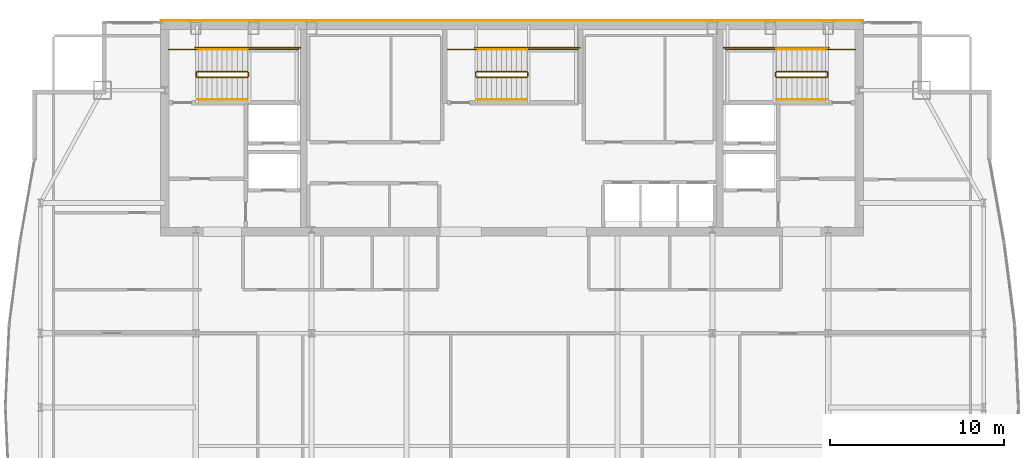
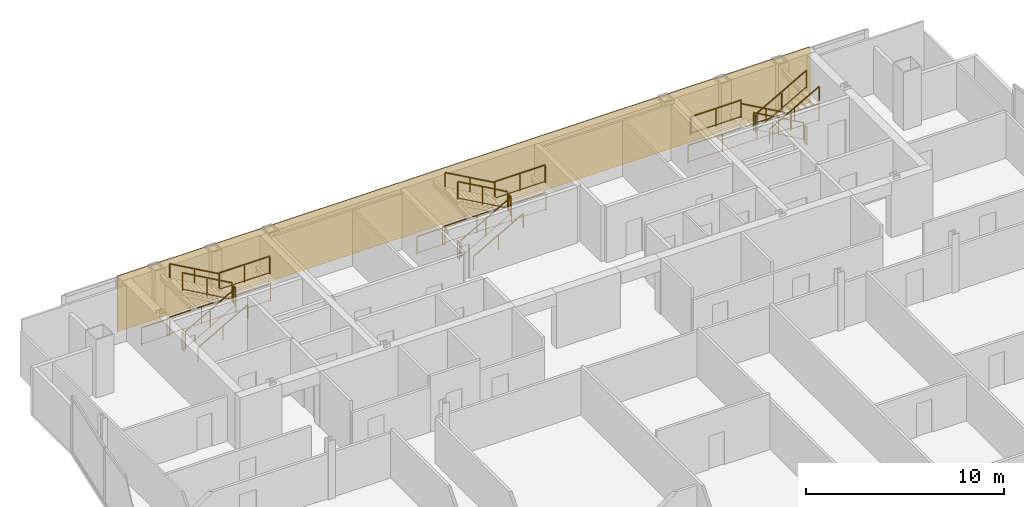
# One storey, part 30 of 30: 27 railings, 1 covering.
"""IFC4 building model written with IfcOpenShell, lengths in metres."""

import ifcopenshell
import ifcopenshell.guid

model = None  # the IFC model being written
_history = None  # IfcOwnerHistory: only IFC2X3 demands one
_inside = {}  # id of a spatial element -> (the spatial element, [elements in it])
_under = {}  # id of a project, library or spatial element -> (it, [spatial elements below it])
_declared = {}  # id of a project -> (the project, [libraries it declares])
_typed = {}  # id of a type object -> (the type object, [elements of that type])
_made_of = {}  # id of a material, layer set ... -> (it, [elements and type objects made of it])


def new_model(schema):
    """Start an empty IFC model of exactly this schema.

    Asked for "IFC4X3", IfcOpenShell would pick the latest addendum, in which some entities
    have other attributes; the version numbers below select the first issue.
    IFC2X3 requires an IfcOwnerHistory on every rooted entity: one is made here for all.
    """
    global model, _history
    if schema == "IFC4X3":
        model = ifcopenshell.file(schema_version=(4, 3, 0, 0))
    else:
        model = ifcopenshell.file(schema=schema)
    _inside.clear()
    _under.clear()
    _declared.clear()
    _typed.clear()
    _made_of.clear()
    _history = None
    if model.schema == "IFC2X3":
        org = make("IfcOrganization", Name="unknown")
        user = make(
            "IfcPersonAndOrganization",
            ThePerson=make("IfcPerson", FamilyName="unknown"),
            TheOrganization=org,
        )
        app = make(
            "IfcApplication",
            ApplicationDeveloper=org,
            Version="unknown",
            ApplicationFullName="unknown",
            ApplicationIdentifier="unknown",
        )
        _history = make(
            "IfcOwnerHistory",
            OwningUser=user,
            OwningApplication=app,
            ChangeAction="ADDED",
            CreationDate=0,
        )
    return model


def make(cls, **values):
    """One entity of the class cls with the attributes given. An attribute that is None is left unset."""
    return model.create_entity(
        cls, **{name: value for name, value in values.items() if value is not None}
    )


def rooted(cls, **values):
    """An entity with a GlobalId (a new one), such as an element, a storey or a relation."""
    return make(cls, GlobalId=ifcopenshell.guid.new(), OwnerHistory=_history, **values)


def si_unit(unit_type, name, prefix=None):
    """IfcSIUnit, for example si_unit("LENGTHUNIT", "METRE", prefix="MILLI")."""
    return make("IfcSIUnit", UnitType=unit_type, Prefix=prefix, Name=name)


def assignment(units):
    """IfcUnitAssignment: the units of a project."""
    return None if units is None else make("IfcUnitAssignment", Units=units)


def point(xyz):
    """IfcCartesianPoint."""
    return None if xyz is None else make("IfcCartesianPoint", Coordinates=xyz)


def direction(xyz):
    """IfcDirection."""
    return None if xyz is None else make("IfcDirection", DirectionRatios=xyz)


def frame(location, z_axis=None, x_axis=None):
    """IfcAxis2Placement3D, a coordinate frame: its origin and axes. An axis left out is left unset."""
    return make(
        "IfcAxis2Placement3D",
        Location=point(location),
        Axis=direction(z_axis),
        RefDirection=direction(x_axis),
    )


def frame_2d(location, x_axis=None):
    """IfcAxis2Placement2D, a coordinate frame in the plane: its origin and x axis."""
    return make(
        "IfcAxis2Placement2D", Location=point(location), RefDirection=direction(x_axis)
    )


def origin():
    """The frame at (0, 0, 0) with its axes left unset."""
    return frame((0.0, 0.0, 0.0))


def origin_2d():
    """The frame at (0, 0) in the plane with its x axis left unset."""
    return frame_2d((0.0, 0.0))


def place(relative_to, where):
    """IfcLocalPlacement: puts the frame where relative to a parent placement (None: the world)."""
    return make(
        "IfcLocalPlacement", PlacementRelTo=relative_to, RelativePlacement=where
    )


def context(
    kind, dimensions, precision=None, world=None, true_north=None, identifier=None
):
    """IfcGeometricRepresentationContext, for example the 3D "Model" context."""
    return make(
        "IfcGeometricRepresentationContext",
        ContextIdentifier=identifier,
        ContextType=kind,
        CoordinateSpaceDimension=dimensions,
        Precision=precision,
        WorldCoordinateSystem=world,
        TrueNorth=true_north,
    )


def subcontext(parent, identifier, kind, view, scale=None):
    """IfcGeometricRepresentationSubContext, for example "Body" below "Model"."""
    return make(
        "IfcGeometricRepresentationSubContext",
        ContextIdentifier=identifier,
        ContextType=kind,
        ParentContext=parent,
        TargetScale=scale,
        TargetView=view,
    )


def project(units=None, contexts=None):
    """IfcProject with its units and contexts."""
    return rooted(
        "IfcProject",
        Name="project",
        RepresentationContexts=contexts,
        UnitsInContext=assignment(units),
    )


def spatial(cls, under=None, at=None, **own):
    """A site, building, storey or space (cls), placed at a placement, below another one or the project."""
    s = rooted(cls, ObjectPlacement=at, **own)
    if under is not None:
        _under.setdefault(under.id(), (under, []))[1].append(s)
    return s


def polyline(points):
    """IfcPolyline through the points."""
    return make("IfcPolyline", Points=[point(p) for p in points])


def profile(cls, at=None, kind="AREA", **sizes):
    """A parametric profile (cls). Its sizes go by their IFC names, for example OverallWidth=200.0."""
    return make(cls, ProfileType=kind, Position=at, **sizes)


def rectangle(**sizes):
    """IfcRectangleProfileDef."""
    return profile("IfcRectangleProfileDef", **sizes)


def outline(outer, holes=None, kind="AREA"):
    """IfcArbitraryClosedProfileDef: a profile drawn as a closed curve; with holes, ...WithVoids."""
    if holes is None:
        return make("IfcArbitraryClosedProfileDef", ProfileType=kind, OuterCurve=outer)
    return make(
        "IfcArbitraryProfileDefWithVoids",
        ProfileType=kind,
        OuterCurve=outer,
        InnerCurves=holes,
    )


def extrude(swept, where, along, depth):
    """IfcExtrudedAreaSolid: the profile swept, set in the frame where, extruded along a direction by depth."""
    return make(
        "IfcExtrudedAreaSolid",
        SweptArea=swept,
        Position=where,
        ExtrudedDirection=direction(along),
        Depth=depth,
    )


def shape(context_of_items, identifier, shape_type, items):
    """IfcShapeRepresentation: the items that make up one representation, for example the "Body"."""
    return make(
        "IfcShapeRepresentation",
        ContextOfItems=context_of_items,
        RepresentationIdentifier=identifier,
        RepresentationType=shape_type,
        Items=items,
    )


def material(Name=None, Category=None):
    """IfcMaterial."""
    return make("IfcMaterial", Name=Name, Category=Category)


def layer(
    of_material, thickness, ventilated=None, Name=None, Category=None, Priority=None
):
    """IfcMaterialLayer: one layer of a wall or slab, of a material (None: an air gap)."""
    return make(
        "IfcMaterialLayer",
        Material=of_material,
        LayerThickness=thickness,
        IsVentilated=ventilated,
        Name=Name,
        Category=Category,
        Priority=Priority,
    )


def layer_set(layers, Name=None):
    """IfcMaterialLayerSet."""
    return make("IfcMaterialLayerSet", MaterialLayers=layers, LayerSetName=Name)


def made_of(thing, what):
    """Note that an element or type object is made of a material, layer set ...; save() writes the relation."""
    if what is not None:
        _made_of.setdefault(what.id(), (what, []))[1].append(thing)
    return thing


def type_object(cls, material=None, **own):
    """A type object (cls), such as IfcWallType, which elements share."""
    return made_of(rooted(cls, **own), material)


def element(
    cls,
    number,
    at=None,
    inside=None,
    cuts=None,
    type_object=None,
    material=None,
    context=None,
    identifier="Body",
    shape_type=None,
    held_by="IfcProductDefinitionShape",
    body=None,
    shapes=None,
    **own,
):
    """One element of the class cls, such as IfcWall. Its Tag is "e" and its number.

    at: its placement. inside: the storey or other place that contains it. cuts: it is an
    opening in that element (IfcRelVoidsElement). A single representation is given by context,
    identifier, shape_type and body (its items); several are given by shapes. held_by: the class
    of the entity that holds the representations. save() writes the other relations.
    """
    e = rooted(cls, Tag="e%d" % number, ObjectPlacement=at, **own)
    if body is not None:
        shapes = [shape(context, identifier, shape_type, body)]
    if shapes is not None:
        e.Representation = make(held_by, Representations=shapes)
    if inside is not None:
        _inside.setdefault(inside.id(), (inside, []))[1].append(e)
    if cuts is not None:
        rooted(
            "IfcRelVoidsElement", RelatingBuildingElement=cuts, RelatedOpeningElement=e
        )
    if type_object is not None:
        _typed.setdefault(type_object.id(), (type_object, []))[1].append(e)
    return made_of(e, material)


def aggregate(whole, parts):
    """IfcRelAggregates: a whole, such as a stair, and the parts it consists of."""
    return rooted("IfcRelAggregates", RelatingObject=whole, RelatedObjects=parts)


def save(model, path):
    """Write the relations noted so far, then the file.

    IfcRelAggregates (storeys below a building ...), IfcRelContainedInSpatialStructure (elements
    in a storey), IfcRelDefinesByType, IfcRelAssociatesMaterial and IfcRelDeclares: one each for
    every whole, place, type object, material and project.
    """
    for whole, parts in _under.values():
        aggregate(whole, parts)
    for where, things in _inside.values():
        rooted(
            "IfcRelContainedInSpatialStructure",
            RelatedElements=things,
            RelatingStructure=where,
        )
    for kind, things in _typed.values():
        rooted("IfcRelDefinesByType", RelatedObjects=things, RelatingType=kind)
    for what, things in _made_of.values():
        rooted("IfcRelAssociatesMaterial", RelatedObjects=things, RelatingMaterial=what)
    for by, libraries in _declared.values():
        rooted("IfcRelDeclares", RelatingContext=by, RelatedDefinitions=libraries)
    model.write(path)


model = new_model("IFC4")

# Units and contexts
model_context = context("Model", 3, precision=1e-05, world=origin(), true_north=direction((0.0, 1.0)))
body_context = subcontext(model_context, "Body", "Model", "MODEL_VIEW")
ifc_project = project(units=[si_unit("LENGTHUNIT", "METRE"), si_unit("AREAUNIT", "SQUARE_METRE"), si_unit("VOLUMEUNIT", "CUBIC_METRE"), si_unit("PLANEANGLEUNIT", "RADIAN"), si_unit("MASSUNIT", "GRAM", prefix="KILO")], contexts=[model_context])

# Site, building, storey
site_placement = place(None, origin())
site = spatial("IfcSite", under=ifc_project, at=site_placement, CompositionType="ELEMENT")
building_placement = place(site_placement, origin())
building = spatial("IfcBuilding", under=site, at=building_placement, Name="Khoronbel Lancet Exchange", CompositionType="ELEMENT")
storey_placement = place(building_placement, frame((0.0, 0.0, 277.0)))
storey = spatial("IfcBuildingStorey", under=building, at=storey_placement, Name="L71", CompositionType="ELEMENT", Elevation=277.0)

# Covering
ifc_material_1 = material(Name="Honed Egyptian Limestone & Bronze Rainscreen", Category="masonry")
ifc_layer = layer(ifc_material_1, 0.050048828125, Name="Honed Egyptian Limestone & Bronze Rainscreen")
ifc_layer_set = layer_set([ifc_layer], Name="Honed Egyptian Limestone & Bronze Rainscreen")
covering_type = type_object("IfcCoveringType", Name="COV-CLAD1", PredefinedType="CLADDING", material=ifc_layer_set)
covering_placement = place(storey_placement, origin())
element("IfcCovering", 1, at=covering_placement, inside=storey, type_object=covering_type, Name="Level L71 north rear-core stone and bronze rainscreen cladding", PredefinedType="CLADDING", context=body_context, shape_type="SweptSolid", body=[
    extrude(outline(polyline([(16.199951171875, 53.699951171875), (56.699951171875, 53.699951171875), (56.699951171875, 53.75), (16.199951171875, 53.75), (16.199951171875, 53.699951171875)])), origin(), (0.0, 0.0, 1.0), 3.43994140625),
])

# Railings
ifc_material_2 = material(Name="Painted Steel Balustrade", Category="steel")
railing_type_1 = type_object("IfcRailingType", Name="RL-STG110", PredefinedType="GUARDRAIL", material=ifc_material_2)
railing_1_placement = place(storey_placement, frame((18.300048828125, 50.449951171875, 0.16357421875)))
element("IfcRailing", 2, at=railing_1_placement, inside=storey, type_object=railing_type_1, Name="L71 ST1 stair guard 1", PredefinedType="GUARDRAIL", context=body_context, shape_type="SweptSolid", body=[
    extrude(rectangle(XDim=0.048095703125, YDim=0.048095703125, at=origin_2d()), frame((0.0, 0.0, 1.09619140625), z_axis=(0.870897200241, 0.0, 0.491465224214), x_axis=(0.0, 1.0, 0.0)), (0.0, 0.0, 1.0), 3.329833984375),
    extrude(rectangle(XDim=0.02392578125, YDim=0.02392578125, at=origin_2d()), frame((0.0, 0.0, 0.080078125), z_axis=(0.870897200241, 0.0, 0.491465224214), x_axis=(0.0, 1.0, 0.0)), (0.0, 0.0, 1.0), 3.329833984375),
    extrude(rectangle(XDim=0.0419921875, YDim=0.0419921875, at=origin_2d()), origin(), (0.0, 0.0, 1.0), 1.072021484375),
    extrude(rectangle(XDim=0.0419921875, YDim=0.0419921875, at=origin_2d()), frame((1.449951171875, 0.0, 0.818359375)), (0.0, 0.0, 1.0), 1.072021484375),
    extrude(rectangle(XDim=0.0419921875, YDim=0.0419921875, at=origin_2d()), frame((2.89990234375, 0.0, 1.636474609375)), (0.0, 0.0, 1.0), 1.072021484375),
])
railing_2_placement = place(storey_placement, frame((21.25, 50.5, 1.800048828125)))
element("IfcRailing", 3, at=railing_2_placement, inside=storey, type_object=railing_type_1, Name="L71 ST1 stair guard 2", PredefinedType="GUARDRAIL", context=body_context, shape_type="SweptSolid", body=[
    extrude(rectangle(XDim=0.048095703125, YDim=0.048095703125, at=origin_2d()), frame((0.0, 0.0, 1.09619140625), z_axis=(0.0, 1.0, 0.0), x_axis=(-1.0, 0.0, 0.0)), (0.0, 0.0, 1.0), 0.219970703125),
    extrude(rectangle(XDim=0.02392578125, YDim=0.02392578125, at=origin_2d()), frame((0.0, 0.0, 0.080078125), z_axis=(0.0, 1.0, 0.0), x_axis=(-1.0, 0.0, 0.0)), (0.0, 0.0, 1.0), 0.219970703125),
    extrude(rectangle(XDim=0.0419921875, YDim=0.0419921875, at=origin_2d()), origin(), (0.0, 0.0, 1.0), 1.072021484375),
    extrude(rectangle(XDim=0.0419921875, YDim=0.0419921875, at=origin_2d()), frame((0.0, 0.219970703125, 0.0)), (0.0, 0.0, 1.0), 1.072021484375),
])
railing_3_placement = place(storey_placement, frame((21.199951171875, 52.050048828125, 1.800048828125)))
element("IfcRailing", 4, at=railing_3_placement, inside=storey, type_object=railing_type_1, Name="L71 ST1 stair guard 3", PredefinedType="GUARDRAIL", context=body_context, shape_type="SweptSolid", body=[
    extrude(rectangle(XDim=0.048095703125, YDim=0.048095703125, at=origin_2d()), frame((0.0, 0.0, 1.09619140625), z_axis=(1.0, 0.0, 0.0), x_axis=(0.0, 1.0, 0.0)), (0.0, 0.0, 1.0), 2.949951171875),
    extrude(rectangle(XDim=0.02392578125, YDim=0.02392578125, at=origin_2d()), frame((0.0, 0.0, 0.080078125), z_axis=(1.0, 0.0, 0.0), x_axis=(0.0, 1.0, 0.0)), (0.0, 0.0, 1.0), 2.949951171875),
    extrude(rectangle(XDim=0.0419921875, YDim=0.0419921875, at=origin_2d()), origin(), (0.0, 0.0, 1.0), 1.072021484375),
    extrude(rectangle(XDim=0.0419921875, YDim=0.0419921875, at=origin_2d()), frame((1.47509765625, 0.0, 0.0)), (0.0, 0.0, 1.0), 1.072021484375),
    extrude(rectangle(XDim=0.0419921875, YDim=0.0419921875, at=origin_2d()), frame((2.949951171875, 0.0, 0.0)), (0.0, 0.0, 1.0), 1.072021484375),
])
railing_4_placement = place(storey_placement, frame((21.199951171875, 50.77001953125, 1.963623046875)))
element("IfcRailing", 5, at=railing_4_placement, inside=storey, type_object=railing_type_1, Name="L71 ST1 stair guard 4", PredefinedType="GUARDRAIL", context=body_context, shape_type="SweptSolid", body=[
    extrude(rectangle(XDim=0.048095703125, YDim=0.048095703125, at=origin_2d()), frame((0.0, 0.0, 1.09619140625), z_axis=(-0.870897200241, 0.0, 0.491465224214), x_axis=(0.0, -1.0, 0.0)), (0.0, 0.0, 1.0), 3.329833984375),
    extrude(rectangle(XDim=0.02392578125, YDim=0.02392578125, at=origin_2d()), frame((0.0, 0.0, 0.080078125), z_axis=(-0.870897200241, 0.0, 0.491465224214), x_axis=(0.0, -1.0, 0.0)), (0.0, 0.0, 1.0), 3.329833984375),
    extrude(rectangle(XDim=0.0419921875, YDim=0.0419921875, at=origin_2d()), origin(), (0.0, 0.0, 1.0), 1.072021484375),
    extrude(rectangle(XDim=0.0419921875, YDim=0.0419921875, at=origin_2d()), frame((-1.449951171875, 0.0, 0.818359375)), (0.0, 0.0, 1.0), 1.072021484375),
    extrude(rectangle(XDim=0.0419921875, YDim=0.0419921875, at=origin_2d()), frame((-2.89990234375, 0.0, 1.636474609375)), (0.0, 0.0, 1.0), 1.072021484375),
])
railing_5_placement = place(storey_placement, frame((18.25, 50.5, 0.0)))
element("IfcRailing", 6, at=railing_5_placement, inside=storey, type_object=railing_type_1, Name="L71 ST1 stair guard 5", PredefinedType="GUARDRAIL", context=body_context, shape_type="SweptSolid", body=[
    extrude(rectangle(XDim=0.048095703125, YDim=0.048095703125, at=origin_2d()), frame((0.0, 0.0, 1.09619140625), z_axis=(0.0, 1.0, 0.0), x_axis=(-1.0, 0.0, 0.0)), (0.0, 0.0, 1.0), 0.219970703125),
    extrude(rectangle(XDim=0.02392578125, YDim=0.02392578125, at=origin_2d()), frame((0.0, 0.0, 0.080078125), z_axis=(0.0, 1.0, 0.0), x_axis=(-1.0, 0.0, 0.0)), (0.0, 0.0, 1.0), 0.219970703125),
    extrude(rectangle(XDim=0.0419921875, YDim=0.0419921875, at=origin_2d()), origin(), (0.0, 0.0, 1.0), 1.072021484375),
    extrude(rectangle(XDim=0.0419921875, YDim=0.0419921875, at=origin_2d()), frame((0.0, 0.219970703125, 0.0)), (0.0, 0.0, 1.0), 1.072021484375),
])
railing_6_placement = place(storey_placement, frame((16.64990234375, 52.050048828125, 0.0)))
element("IfcRailing", 7, at=railing_6_placement, inside=storey, type_object=railing_type_1, Name="L71 ST1 stair guard 6", PredefinedType="GUARDRAIL", context=body_context, shape_type="SweptSolid", body=[
    extrude(rectangle(XDim=0.048095703125, YDim=0.048095703125, at=origin_2d()), frame((0.0, 0.0, 1.09619140625), z_axis=(1.0, 0.0, 0.0), x_axis=(0.0, 1.0, 0.0)), (0.0, 0.0, 1.0), 1.650146484375),
    extrude(rectangle(XDim=0.02392578125, YDim=0.02392578125, at=origin_2d()), frame((0.0, 0.0, 0.080078125), z_axis=(1.0, 0.0, 0.0), x_axis=(0.0, 1.0, 0.0)), (0.0, 0.0, 1.0), 1.650146484375),
    extrude(rectangle(XDim=0.0419921875, YDim=0.0419921875, at=origin_2d()), origin(), (0.0, 0.0, 1.0), 1.072021484375),
    extrude(rectangle(XDim=0.0419921875, YDim=0.0419921875, at=origin_2d()), frame((1.650146484375, 0.0, 0.0)), (0.0, 0.0, 1.0), 1.072021484375),
])
railing_7_placement = place(storey_placement, frame((18.199951171875, 52.14990234375, 0.0)))
element("IfcRailing", 8, at=railing_7_placement, inside=storey, type_object=railing_type_1, Name="L71 ST1 stair guard 7", PredefinedType="GUARDRAIL", context=body_context, shape_type="SweptSolid", body=[
    extrude(rectangle(XDim=0.048095703125, YDim=0.048095703125, at=origin_2d()), frame((0.0, 0.0, 1.09619140625), z_axis=(1.0, 0.0, 0.0), x_axis=(0.0, 1.0, 0.0)), (0.0, 0.0, 1.0), 6.050048828125),
    extrude(rectangle(XDim=0.02392578125, YDim=0.02392578125, at=origin_2d()), frame((0.0, 0.0, 0.080078125), z_axis=(1.0, 0.0, 0.0), x_axis=(0.0, 1.0, 0.0)), (0.0, 0.0, 1.0), 6.050048828125),
    extrude(rectangle(XDim=0.0419921875, YDim=0.0419921875, at=origin_2d()), origin(), (0.0, 0.0, 1.0), 1.072021484375),
    extrude(rectangle(XDim=0.0419921875, YDim=0.0419921875, at=origin_2d()), frame((2.0166015625, 0.0, 0.0)), (0.0, 0.0, 1.0), 1.072021484375),
    extrude(rectangle(XDim=0.0419921875, YDim=0.0419921875, at=origin_2d()), frame((4.033447265625, 0.0, 0.0)), (0.0, 0.0, 1.0), 1.072021484375),
    extrude(rectangle(XDim=0.0419921875, YDim=0.0419921875, at=origin_2d()), frame((6.050048828125, 0.0, 0.0)), (0.0, 0.0, 1.0), 1.072021484375),
])
railing_8_placement = place(storey_placement, frame((54.60009765625, 50.77001953125, 0.16357421875)))
element("IfcRailing", 9, at=railing_8_placement, inside=storey, type_object=railing_type_1, Name="L71 ST2 stair guard 1", PredefinedType="GUARDRAIL", context=body_context, shape_type="SweptSolid", body=[
    extrude(rectangle(XDim=0.048095703125, YDim=0.048095703125, at=origin_2d()), frame((0.0, 0.0, 1.09619140625), z_axis=(-0.870914908162, 0.0, 0.491433843708), x_axis=(0.0, -1.0, 0.0)), (0.0, 0.0, 1.0), 3.330078125),
    extrude(rectangle(XDim=0.02392578125, YDim=0.02392578125, at=origin_2d()), frame((0.0, 0.0, 0.080078125), z_axis=(-0.870914908162, 0.0, 0.491433843708), x_axis=(0.0, -1.0, 0.0)), (0.0, 0.0, 1.0), 3.330078125),
    extrude(rectangle(XDim=0.0419921875, YDim=0.0419921875, at=origin_2d()), origin(), (0.0, 0.0, 1.0), 1.072021484375),
    extrude(rectangle(XDim=0.0419921875, YDim=0.0419921875, at=origin_2d()), frame((-1.4501953125, 0.0, 0.818359375)), (0.0, 0.0, 1.0), 1.072021484375),
    extrude(rectangle(XDim=0.0419921875, YDim=0.0419921875, at=origin_2d()), frame((-2.900146484375, 0.0, 1.636474609375)), (0.0, 0.0, 1.0), 1.072021484375),
])
railing_9_placement = place(storey_placement, frame((51.64990234375, 50.719970703125, 1.800048828125)))
element("IfcRailing", 10, at=railing_9_placement, inside=storey, type_object=railing_type_1, Name="L71 ST2 stair guard 2", PredefinedType="GUARDRAIL", context=body_context, shape_type="SweptSolid", body=[
    extrude(rectangle(XDim=0.048095703125, YDim=0.048095703125, at=origin_2d()), frame((0.0, 0.0, 1.09619140625), z_axis=(0.0, -1.0, 0.0), x_axis=(1.0, 0.0, 0.0)), (0.0, 0.0, 1.0), 0.219970703125),
    extrude(rectangle(XDim=0.02392578125, YDim=0.02392578125, at=origin_2d()), frame((0.0, 0.0, 0.080078125), z_axis=(0.0, -1.0, 0.0), x_axis=(1.0, 0.0, 0.0)), (0.0, 0.0, 1.0), 0.219970703125),
    extrude(rectangle(XDim=0.0419921875, YDim=0.0419921875, at=origin_2d()), origin(), (0.0, 0.0, 1.0), 1.072021484375),
    extrude(rectangle(XDim=0.0419921875, YDim=0.0419921875, at=origin_2d()), frame((0.0, -0.219970703125, 0.0)), (0.0, 0.0, 1.0), 1.072021484375),
])
railing_10_placement = place(storey_placement, frame((51.699951171875, 52.050048828125, 1.800048828125)))
element("IfcRailing", 11, at=railing_10_placement, inside=storey, type_object=railing_type_1, Name="L71 ST2 stair guard 3", PredefinedType="GUARDRAIL", context=body_context, shape_type="SweptSolid", body=[
    extrude(rectangle(XDim=0.048095703125, YDim=0.048095703125, at=origin_2d()), frame((0.0, 0.0, 1.09619140625), z_axis=(-1.0, 0.0, 0.0), x_axis=(0.0, -1.0, 0.0)), (0.0, 0.0, 1.0), 2.949951171875),
    extrude(rectangle(XDim=0.02392578125, YDim=0.02392578125, at=origin_2d()), frame((0.0, 0.0, 0.080078125), z_axis=(-1.0, 0.0, 0.0), x_axis=(0.0, -1.0, 0.0)), (0.0, 0.0, 1.0), 2.949951171875),
    extrude(rectangle(XDim=0.0419921875, YDim=0.0419921875, at=origin_2d()), origin(), (0.0, 0.0, 1.0), 1.072021484375),
    extrude(rectangle(XDim=0.0419921875, YDim=0.0419921875, at=origin_2d()), frame((-1.47509765625, 0.0, 0.0)), (0.0, 0.0, 1.0), 1.072021484375),
    extrude(rectangle(XDim=0.0419921875, YDim=0.0419921875, at=origin_2d()), frame((-2.949951171875, 0.0, 0.0)), (0.0, 0.0, 1.0), 1.072021484375),
])
railing_11_placement = place(storey_placement, frame((51.699951171875, 50.449951171875, 1.963623046875)))
element("IfcRailing", 12, at=railing_11_placement, inside=storey, type_object=railing_type_1, Name="L71 ST2 stair guard 4", PredefinedType="GUARDRAIL", context=body_context, shape_type="SweptSolid", body=[
    extrude(rectangle(XDim=0.048095703125, YDim=0.048095703125, at=origin_2d()), frame((0.0, 0.0, 1.09619140625), z_axis=(0.870914908162, 0.0, 0.491433843708), x_axis=(0.0, 1.0, 0.0)), (0.0, 0.0, 1.0), 3.330078125),
    extrude(rectangle(XDim=0.02392578125, YDim=0.02392578125, at=origin_2d()), frame((0.0, 0.0, 0.080078125), z_axis=(0.870914908162, 0.0, 0.491433843708), x_axis=(0.0, 1.0, 0.0)), (0.0, 0.0, 1.0), 3.330078125),
    extrude(rectangle(XDim=0.0419921875, YDim=0.0419921875, at=origin_2d()), origin(), (0.0, 0.0, 1.0), 1.072021484375),
    extrude(rectangle(XDim=0.0419921875, YDim=0.0419921875, at=origin_2d()), frame((1.4501953125, 0.0, 0.818359375)), (0.0, 0.0, 1.0), 1.072021484375),
    extrude(rectangle(XDim=0.0419921875, YDim=0.0419921875, at=origin_2d()), frame((2.900146484375, 0.0, 1.636474609375)), (0.0, 0.0, 1.0), 1.072021484375),
])
railing_12_placement = place(storey_placement, frame((54.64990234375, 50.719970703125, 0.0)))
element("IfcRailing", 13, at=railing_12_placement, inside=storey, type_object=railing_type_1, Name="L71 ST2 stair guard 5", PredefinedType="GUARDRAIL", context=body_context, shape_type="SweptSolid", body=[
    extrude(rectangle(XDim=0.048095703125, YDim=0.048095703125, at=origin_2d()), frame((0.0, 0.0, 1.09619140625), z_axis=(0.0, -1.0, 0.0), x_axis=(1.0, 0.0, 0.0)), (0.0, 0.0, 1.0), 0.219970703125),
    extrude(rectangle(XDim=0.02392578125, YDim=0.02392578125, at=origin_2d()), frame((0.0, 0.0, 0.080078125), z_axis=(0.0, -1.0, 0.0), x_axis=(1.0, 0.0, 0.0)), (0.0, 0.0, 1.0), 0.219970703125),
    extrude(rectangle(XDim=0.0419921875, YDim=0.0419921875, at=origin_2d()), origin(), (0.0, 0.0, 1.0), 1.072021484375),
    extrude(rectangle(XDim=0.0419921875, YDim=0.0419921875, at=origin_2d()), frame((0.0, -0.219970703125, 0.0)), (0.0, 0.0, 1.0), 1.072021484375),
])
railing_13_placement = place(storey_placement, frame((56.25, 52.050048828125, 0.0)))
element("IfcRailing", 14, at=railing_13_placement, inside=storey, type_object=railing_type_1, Name="L71 ST2 stair guard 6", PredefinedType="GUARDRAIL", context=body_context, shape_type="SweptSolid", body=[
    extrude(rectangle(XDim=0.048095703125, YDim=0.048095703125, at=origin_2d()), frame((0.0, 0.0, 1.09619140625), z_axis=(-1.0, 0.0, 0.0), x_axis=(0.0, -1.0, 0.0)), (0.0, 0.0, 1.0), 1.64990234375),
    extrude(rectangle(XDim=0.02392578125, YDim=0.02392578125, at=origin_2d()), frame((0.0, 0.0, 0.080078125), z_axis=(-1.0, 0.0, 0.0), x_axis=(0.0, -1.0, 0.0)), (0.0, 0.0, 1.0), 1.64990234375),
    extrude(rectangle(XDim=0.0419921875, YDim=0.0419921875, at=origin_2d()), origin(), (0.0, 0.0, 1.0), 1.072021484375),
    extrude(rectangle(XDim=0.0419921875, YDim=0.0419921875, at=origin_2d()), frame((-1.64990234375, 0.0, 0.0)), (0.0, 0.0, 1.0), 1.072021484375),
])
railing_14_placement = place(storey_placement, frame((54.699951171875, 52.14990234375, 0.0)))
element("IfcRailing", 15, at=railing_14_placement, inside=storey, type_object=railing_type_1, Name="L71 ST2 stair guard 7", PredefinedType="GUARDRAIL", context=body_context, shape_type="SweptSolid", body=[
    extrude(rectangle(XDim=0.048095703125, YDim=0.048095703125, at=origin_2d()), frame((0.0, 0.0, 1.09619140625), z_axis=(-1.0, 0.0, 0.0), x_axis=(0.0, -1.0, 0.0)), (0.0, 0.0, 1.0), 6.050048828125),
    extrude(rectangle(XDim=0.02392578125, YDim=0.02392578125, at=origin_2d()), frame((0.0, 0.0, 0.080078125), z_axis=(-1.0, 0.0, 0.0), x_axis=(0.0, -1.0, 0.0)), (0.0, 0.0, 1.0), 6.050048828125),
    extrude(rectangle(XDim=0.0419921875, YDim=0.0419921875, at=origin_2d()), origin(), (0.0, 0.0, 1.0), 1.072021484375),
    extrude(rectangle(XDim=0.0419921875, YDim=0.0419921875, at=origin_2d()), frame((-2.0166015625, 0.0, 0.0)), (0.0, 0.0, 1.0), 1.072021484375),
    extrude(rectangle(XDim=0.0419921875, YDim=0.0419921875, at=origin_2d()), frame((-4.033447265625, 0.0, 0.0)), (0.0, 0.0, 1.0), 1.072021484375),
    extrude(rectangle(XDim=0.0419921875, YDim=0.0419921875, at=origin_2d()), frame((-6.050048828125, 0.0, 0.0)), (0.0, 0.0, 1.0), 1.072021484375),
])
railing_15_placement = place(storey_placement, frame((34.39990234375, 50.449951171875, 0.16357421875)))
element("IfcRailing", 16, at=railing_15_placement, inside=storey, type_object=railing_type_1, Name="L71 ST3 stair guard 1", PredefinedType="GUARDRAIL", context=body_context, shape_type="SweptSolid", body=[
    extrude(rectangle(XDim=0.048095703125, YDim=0.048095703125, at=origin_2d()), frame((0.0, 0.0, 1.09619140625), z_axis=(0.870914908162, 0.0, 0.491433843708), x_axis=(0.0, 1.0, 0.0)), (0.0, 0.0, 1.0), 3.330078125),
    extrude(rectangle(XDim=0.02392578125, YDim=0.02392578125, at=origin_2d()), frame((0.0, 0.0, 0.080078125), z_axis=(0.870914908162, 0.0, 0.491433843708), x_axis=(0.0, 1.0, 0.0)), (0.0, 0.0, 1.0), 3.330078125),
    extrude(rectangle(XDim=0.0419921875, YDim=0.0419921875, at=origin_2d()), origin(), (0.0, 0.0, 1.0), 1.072021484375),
    extrude(rectangle(XDim=0.0419921875, YDim=0.0419921875, at=origin_2d()), frame((1.4501953125, 0.0, 0.818359375)), (0.0, 0.0, 1.0), 1.072021484375),
    extrude(rectangle(XDim=0.0419921875, YDim=0.0419921875, at=origin_2d()), frame((2.900146484375, 0.0, 1.636474609375)), (0.0, 0.0, 1.0), 1.072021484375),
])
railing_16_placement = place(storey_placement, frame((37.35009765625, 50.5, 1.800048828125)))
element("IfcRailing", 17, at=railing_16_placement, inside=storey, type_object=railing_type_1, Name="L71 ST3 stair guard 2", PredefinedType="GUARDRAIL", context=body_context, shape_type="SweptSolid", body=[
    extrude(rectangle(XDim=0.048095703125, YDim=0.048095703125, at=origin_2d()), frame((0.0, 0.0, 1.09619140625), z_axis=(0.0, 1.0, 0.0), x_axis=(-1.0, 0.0, 0.0)), (0.0, 0.0, 1.0), 0.219970703125),
    extrude(rectangle(XDim=0.02392578125, YDim=0.02392578125, at=origin_2d()), frame((0.0, 0.0, 0.080078125), z_axis=(0.0, 1.0, 0.0), x_axis=(-1.0, 0.0, 0.0)), (0.0, 0.0, 1.0), 0.219970703125),
    extrude(rectangle(XDim=0.0419921875, YDim=0.0419921875, at=origin_2d()), origin(), (0.0, 0.0, 1.0), 1.072021484375),
    extrude(rectangle(XDim=0.0419921875, YDim=0.0419921875, at=origin_2d()), frame((0.0, 0.219970703125, 0.0)), (0.0, 0.0, 1.0), 1.072021484375),
])
railing_17_placement = place(storey_placement, frame((37.300048828125, 52.050048828125, 1.800048828125)))
element("IfcRailing", 18, at=railing_17_placement, inside=storey, type_object=railing_type_1, Name="L71 ST3 stair guard 3", PredefinedType="GUARDRAIL", context=body_context, shape_type="SweptSolid", body=[
    extrude(rectangle(XDim=0.048095703125, YDim=0.048095703125, at=origin_2d()), frame((0.0, 0.0, 1.09619140625), z_axis=(1.0, 0.0, 0.0), x_axis=(0.0, 1.0, 0.0)), (0.0, 0.0, 1.0), 2.949951171875),
    extrude(rectangle(XDim=0.02392578125, YDim=0.02392578125, at=origin_2d()), frame((0.0, 0.0, 0.080078125), z_axis=(1.0, 0.0, 0.0), x_axis=(0.0, 1.0, 0.0)), (0.0, 0.0, 1.0), 2.949951171875),
    extrude(rectangle(XDim=0.0419921875, YDim=0.0419921875, at=origin_2d()), origin(), (0.0, 0.0, 1.0), 1.072021484375),
    extrude(rectangle(XDim=0.0419921875, YDim=0.0419921875, at=origin_2d()), frame((1.47509765625, 0.0, 0.0)), (0.0, 0.0, 1.0), 1.072021484375),
    extrude(rectangle(XDim=0.0419921875, YDim=0.0419921875, at=origin_2d()), frame((2.949951171875, 0.0, 0.0)), (0.0, 0.0, 1.0), 1.072021484375),
])
railing_18_placement = place(storey_placement, frame((37.300048828125, 50.77001953125, 1.963623046875)))
element("IfcRailing", 19, at=railing_18_placement, inside=storey, type_object=railing_type_1, Name="L71 ST3 stair guard 4", PredefinedType="GUARDRAIL", context=body_context, shape_type="SweptSolid", body=[
    extrude(rectangle(XDim=0.048095703125, YDim=0.048095703125, at=origin_2d()), frame((0.0, 0.0, 1.09619140625), z_axis=(-0.870914908162, 0.0, 0.491433843708), x_axis=(0.0, -1.0, 0.0)), (0.0, 0.0, 1.0), 3.330078125),
    extrude(rectangle(XDim=0.02392578125, YDim=0.02392578125, at=origin_2d()), frame((0.0, 0.0, 0.080078125), z_axis=(-0.870914908162, 0.0, 0.491433843708), x_axis=(0.0, -1.0, 0.0)), (0.0, 0.0, 1.0), 3.330078125),
    extrude(rectangle(XDim=0.0419921875, YDim=0.0419921875, at=origin_2d()), origin(), (0.0, 0.0, 1.0), 1.072021484375),
    extrude(rectangle(XDim=0.0419921875, YDim=0.0419921875, at=origin_2d()), frame((-1.4501953125, 0.0, 0.818359375)), (0.0, 0.0, 1.0), 1.072021484375),
    extrude(rectangle(XDim=0.0419921875, YDim=0.0419921875, at=origin_2d()), frame((-2.900146484375, 0.0, 1.636474609375)), (0.0, 0.0, 1.0), 1.072021484375),
])
railing_19_placement = place(storey_placement, frame((34.35009765625, 50.5, 0.0)))
element("IfcRailing", 20, at=railing_19_placement, inside=storey, type_object=railing_type_1, Name="L71 ST3 stair guard 5", PredefinedType="GUARDRAIL", context=body_context, shape_type="SweptSolid", body=[
    extrude(rectangle(XDim=0.048095703125, YDim=0.048095703125, at=origin_2d()), frame((0.0, 0.0, 1.09619140625), z_axis=(0.0, 1.0, 0.0), x_axis=(-1.0, 0.0, 0.0)), (0.0, 0.0, 1.0), 0.219970703125),
    extrude(rectangle(XDim=0.02392578125, YDim=0.02392578125, at=origin_2d()), frame((0.0, 0.0, 0.080078125), z_axis=(0.0, 1.0, 0.0), x_axis=(-1.0, 0.0, 0.0)), (0.0, 0.0, 1.0), 0.219970703125),
    extrude(rectangle(XDim=0.0419921875, YDim=0.0419921875, at=origin_2d()), origin(), (0.0, 0.0, 1.0), 1.072021484375),
    extrude(rectangle(XDim=0.0419921875, YDim=0.0419921875, at=origin_2d()), frame((0.0, 0.219970703125, 0.0)), (0.0, 0.0, 1.0), 1.072021484375),
])
railing_20_placement = place(storey_placement, frame((32.75, 52.050048828125, 0.0)))
element("IfcRailing", 21, at=railing_20_placement, inside=storey, type_object=railing_type_1, Name="L71 ST3 stair guard 6", PredefinedType="GUARDRAIL", context=body_context, shape_type="SweptSolid", body=[
    extrude(rectangle(XDim=0.048095703125, YDim=0.048095703125, at=origin_2d()), frame((0.0, 0.0, 1.09619140625), z_axis=(1.0, 0.0, 0.0), x_axis=(0.0, 1.0, 0.0)), (0.0, 0.0, 1.0), 1.64990234375),
    extrude(rectangle(XDim=0.02392578125, YDim=0.02392578125, at=origin_2d()), frame((0.0, 0.0, 0.080078125), z_axis=(1.0, 0.0, 0.0), x_axis=(0.0, 1.0, 0.0)), (0.0, 0.0, 1.0), 1.64990234375),
    extrude(rectangle(XDim=0.0419921875, YDim=0.0419921875, at=origin_2d()), origin(), (0.0, 0.0, 1.0), 1.072021484375),
    extrude(rectangle(XDim=0.0419921875, YDim=0.0419921875, at=origin_2d()), frame((1.64990234375, 0.0, 0.0)), (0.0, 0.0, 1.0), 1.072021484375),
])
railing_21_placement = place(storey_placement, frame((34.300048828125, 52.14990234375, 0.0)))
element("IfcRailing", 22, at=railing_21_placement, inside=storey, type_object=railing_type_1, Name="L71 ST3 stair guard 7", PredefinedType="GUARDRAIL", context=body_context, shape_type="SweptSolid", body=[
    extrude(rectangle(XDim=0.048095703125, YDim=0.048095703125, at=origin_2d()), frame((0.0, 0.0, 1.09619140625), z_axis=(1.0, 0.0, 0.0), x_axis=(0.0, 1.0, 0.0)), (0.0, 0.0, 1.0), 6.050048828125),
    extrude(rectangle(XDim=0.02392578125, YDim=0.02392578125, at=origin_2d()), frame((0.0, 0.0, 0.080078125), z_axis=(1.0, 0.0, 0.0), x_axis=(0.0, 1.0, 0.0)), (0.0, 0.0, 1.0), 6.050048828125),
    extrude(rectangle(XDim=0.0419921875, YDim=0.0419921875, at=origin_2d()), origin(), (0.0, 0.0, 1.0), 1.072021484375),
    extrude(rectangle(XDim=0.0419921875, YDim=0.0419921875, at=origin_2d()), frame((2.0166015625, 0.0, 0.0)), (0.0, 0.0, 1.0), 1.072021484375),
    extrude(rectangle(XDim=0.0419921875, YDim=0.0419921875, at=origin_2d()), frame((4.033447265625, 0.0, 0.0)), (0.0, 0.0, 1.0), 1.072021484375),
    extrude(rectangle(XDim=0.0419921875, YDim=0.0419921875, at=origin_2d()), frame((6.050048828125, 0.0, 0.0)), (0.0, 0.0, 1.0), 1.072021484375),
])
ifc_material_3 = material(Name="Brushed Stainless Steel 316", Category="steel")
railing_type_2 = type_object("IfcRailingType", Name="RL-STH92", PredefinedType="HANDRAIL", material=ifc_material_3)
railing_22_placement = place(storey_placement, frame((18.300048828125, 49.169921875, 0.16357421875)))
element("IfcRailing", 23, at=railing_22_placement, inside=storey, type_object=railing_type_2, Name="L71 ST1 stair handrail 1", PredefinedType="HANDRAIL", context=body_context, shape_type="SweptSolid", body=[
    extrude(rectangle(XDim=0.048095703125, YDim=0.048095703125, at=origin_2d()), frame((0.0, 0.0, 0.8759765625), z_axis=(0.870897200241, 0.0, 0.491465224214), x_axis=(0.0, 1.0, 0.0)), (0.0, 0.0, 1.0), 3.329833984375),
    extrude(rectangle(XDim=0.0419921875, YDim=0.0419921875, at=origin_2d()), origin(), (0.0, 0.0, 1.0), 0.851806640625),
    extrude(rectangle(XDim=0.0419921875, YDim=0.0419921875, at=origin_2d()), frame((1.449951171875, 0.0, 0.818359375)), (0.0, 0.0, 1.0), 0.851806640625),
    extrude(rectangle(XDim=0.0419921875, YDim=0.0419921875, at=origin_2d()), frame((2.89990234375, 0.0, 1.636474609375)), (0.0, 0.0, 1.0), 0.851806640625),
])
railing_23_placement = place(storey_placement, frame((21.199951171875, 52.050048828125, 1.963623046875)))
element("IfcRailing", 24, at=railing_23_placement, inside=storey, type_object=railing_type_2, Name="L71 ST1 stair handrail 2", PredefinedType="HANDRAIL", context=body_context, shape_type="SweptSolid", body=[
    extrude(rectangle(XDim=0.048095703125, YDim=0.048095703125, at=origin_2d()), frame((0.0, 0.0, 0.8759765625), z_axis=(-0.870897200241, 0.0, 0.491465224214), x_axis=(0.0, -1.0, 0.0)), (0.0, 0.0, 1.0), 3.329833984375),
    extrude(rectangle(XDim=0.0419921875, YDim=0.0419921875, at=origin_2d()), origin(), (0.0, 0.0, 1.0), 0.851806640625),
    extrude(rectangle(XDim=0.0419921875, YDim=0.0419921875, at=origin_2d()), frame((-1.449951171875, 0.0, 0.818359375)), (0.0, 0.0, 1.0), 0.851806640625),
    extrude(rectangle(XDim=0.0419921875, YDim=0.0419921875, at=origin_2d()), frame((-2.89990234375, 0.0, 1.636474609375)), (0.0, 0.0, 1.0), 0.851806640625),
])
railing_24_placement = place(storey_placement, frame((54.60009765625, 52.050048828125, 0.16357421875)))
element("IfcRailing", 25, at=railing_24_placement, inside=storey, type_object=railing_type_2, Name="L71 ST2 stair handrail 1", PredefinedType="HANDRAIL", context=body_context, shape_type="SweptSolid", body=[
    extrude(rectangle(XDim=0.048095703125, YDim=0.048095703125, at=origin_2d()), frame((0.0, 0.0, 0.8759765625), z_axis=(-0.870914908162, 0.0, 0.491433843708), x_axis=(0.0, -1.0, 0.0)), (0.0, 0.0, 1.0), 3.330078125),
    extrude(rectangle(XDim=0.0419921875, YDim=0.0419921875, at=origin_2d()), origin(), (0.0, 0.0, 1.0), 0.851806640625),
    extrude(rectangle(XDim=0.0419921875, YDim=0.0419921875, at=origin_2d()), frame((-1.4501953125, 0.0, 0.818359375)), (0.0, 0.0, 1.0), 0.851806640625),
    extrude(rectangle(XDim=0.0419921875, YDim=0.0419921875, at=origin_2d()), frame((-2.900146484375, 0.0, 1.636474609375)), (0.0, 0.0, 1.0), 0.851806640625),
])
for number, where, name in (
    (26, (51.699951171875, 49.169921875, 1.963623046875), "L71 ST2 stair handrail 2"),
    (27, (34.39990234375, 49.169921875, 0.16357421875), "L71 ST3 stair handrail 1"),
):
    element("IfcRailing", number, at=place(storey_placement, frame(where)), inside=storey, type_object=railing_type_2, Name=name, PredefinedType="HANDRAIL", context=body_context, shape_type="SweptSolid", body=[
        extrude(rectangle(XDim=0.048095703125, YDim=0.048095703125, at=origin_2d()), frame((0.0, 0.0, 0.8759765625), z_axis=(0.870914908162, 0.0, 0.491433843708), x_axis=(0.0, 1.0, 0.0)), (0.0, 0.0, 1.0), 3.330078125),
        extrude(rectangle(XDim=0.0419921875, YDim=0.0419921875, at=origin_2d()), origin(), (0.0, 0.0, 1.0), 0.851806640625),
        extrude(rectangle(XDim=0.0419921875, YDim=0.0419921875, at=origin_2d()), frame((1.4501953125, 0.0, 0.818359375)), (0.0, 0.0, 1.0), 0.851806640625),
        extrude(rectangle(XDim=0.0419921875, YDim=0.0419921875, at=origin_2d()), frame((2.900146484375, 0.0, 1.636474609375)), (0.0, 0.0, 1.0), 0.851806640625),
    ])
railing_25_placement = place(storey_placement, frame((37.300048828125, 52.050048828125, 1.963623046875)))
element("IfcRailing", 28, at=railing_25_placement, inside=storey, type_object=railing_type_2, Name="L71 ST3 stair handrail 2", PredefinedType="HANDRAIL", context=body_context, shape_type="SweptSolid", body=[
    extrude(rectangle(XDim=0.048095703125, YDim=0.048095703125, at=origin_2d()), frame((0.0, 0.0, 0.8759765625), z_axis=(-0.870914908162, 0.0, 0.491433843708), x_axis=(0.0, -1.0, 0.0)), (0.0, 0.0, 1.0), 3.330078125),
    extrude(rectangle(XDim=0.0419921875, YDim=0.0419921875, at=origin_2d()), origin(), (0.0, 0.0, 1.0), 0.851806640625),
    extrude(rectangle(XDim=0.0419921875, YDim=0.0419921875, at=origin_2d()), frame((-1.4501953125, 0.0, 0.818359375)), (0.0, 0.0, 1.0), 0.851806640625),
    extrude(rectangle(XDim=0.0419921875, YDim=0.0419921875, at=origin_2d()), frame((-2.900146484375, 0.0, 1.636474609375)), (0.0, 0.0, 1.0), 0.851806640625),
])

save(model, "model.ifc")
